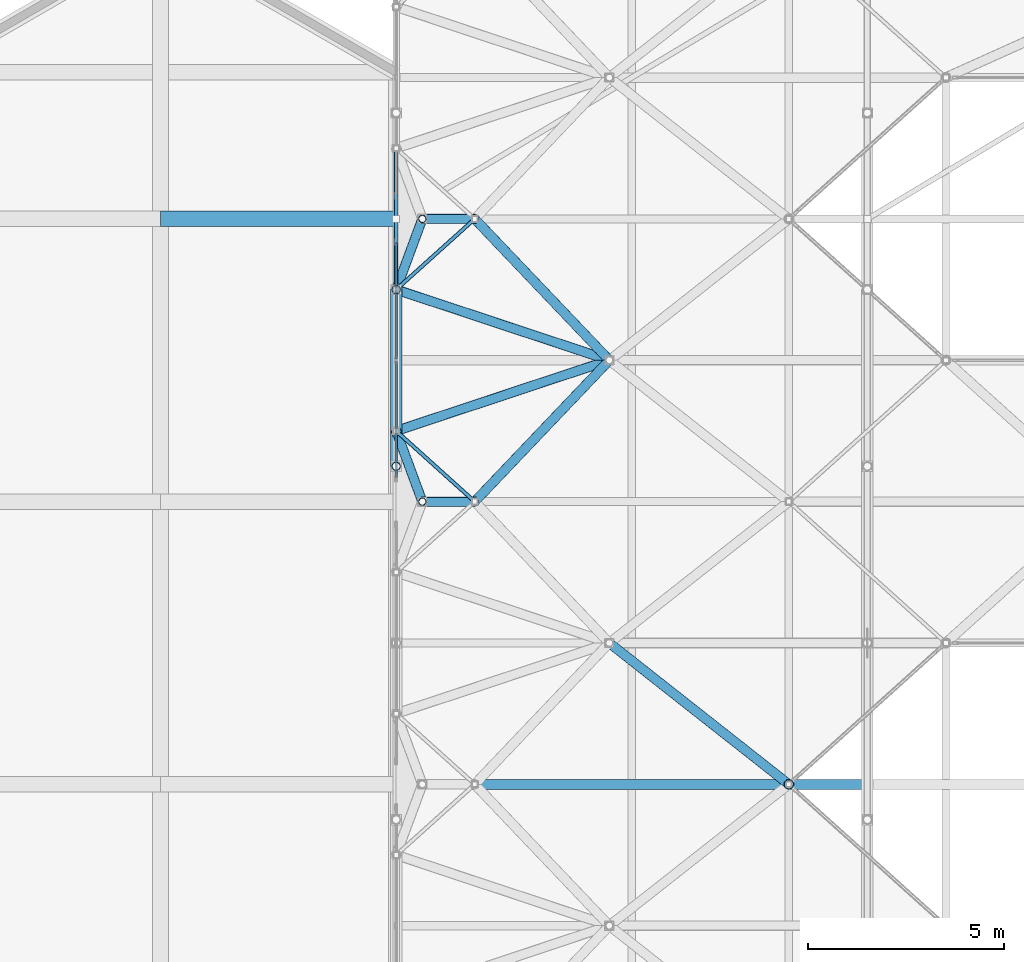
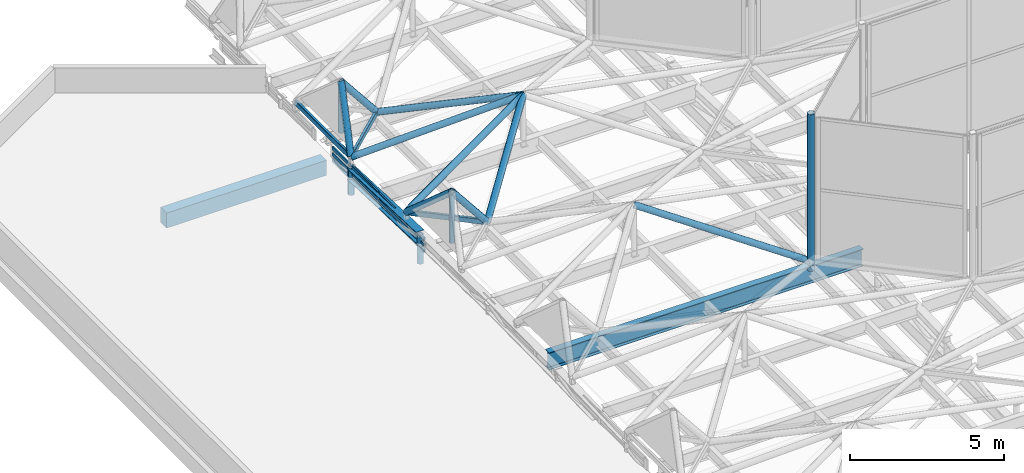
# One storey, part 55 of 239: 20 members, 6 beams, 1 element without a shape of its own.
"""IFC4 building model written with IfcOpenShell, lengths in metres."""

from ifc_helpers import new_model, si_unit, direction, frame, origin, origin_2d, place, context, subcontext, project, spatial, rectangle, hollow_rectangle, hollow_circle, i_section, extrude, material, layer, layer_set, material_profile, profile_set, type_object, element, aggregate, save


model = new_model("IFC4")

# Units and contexts
model_context = context("Model", 3, precision=1e-05, world=origin(), true_north=direction((0.0, 1.0)))
body_context = subcontext(model_context, "Body", "Model", "MODEL_VIEW")
ifc_project = project(units=[si_unit("LENGTHUNIT", "METRE"), si_unit("AREAUNIT", "SQUARE_METRE"), si_unit("VOLUMEUNIT", "CUBIC_METRE"), si_unit("PLANEANGLEUNIT", "RADIAN"), si_unit("MASSUNIT", "GRAM", prefix="KILO")], contexts=[model_context])

# Site, building, storey
site_placement = place(None, origin())
site = spatial("IfcSite", under=ifc_project, at=site_placement, CompositionType="ELEMENT")
building_placement = place(site_placement, origin())
building = spatial("IfcBuilding", under=site, at=building_placement, Name="Dunvalen Ferry Terminal", CompositionType="ELEMENT")
storey_placement = place(building_placement, frame((0.0, 0.0, 9.840087890625)))
storey = spatial("IfcBuildingStorey", under=building, at=storey_placement, Name="L02", CompositionType="ELEMENT", Elevation=9.840087890625)

# Curtain wall, members
ifc_material_1 = material(Name="Anodised marine aluminium and solar-control glazing", Category="aluminium")
ifc_layer = layer(ifc_material_1, 0.219970703125, Name="Anodised marine aluminium and solar-control glazing")
ifc_layer_set = layer_set([ifc_layer], Name="Anodised marine aluminium and solar-control glazing")
curtain_wall_type = type_object("IfcCurtainWallType", Name="ENV-CW-SYS-04", PredefinedType="NOTDEFINED", material=ifc_layer_set)
curtain_wall_placement = place(storey_placement, origin())
curtain_wall = element("IfcCurtainWall", 1, at=curtain_wall_placement, inside=storey, type_object=curtain_wall_type, Name="L02 Curtain Wall CW-V1W-CLR-04", PredefinedType="NOTDEFINED")
ifc_material_2 = material(Name="Anodised marine aluminium EN AW-6063 T6", Category="aluminium")
ifc_material_profile_1 = material_profile(ifc_material_2, hollow_rectangle(XDim=0.06005859375, YDim=0.135009765625, WallThickness=0.003173828125, InnerFilletRadius=0.003173828125, OuterFilletRadius=0.00634765625, at=origin_2d()), Name="Anodised marine aluminium EN AW-6063 T6")
ifc_profile_set_1 = profile_set([ifc_material_profile_1], Name="Anodised marine aluminium EN AW-6063 T6")
member_type_1 = type_object("IfcMemberType", Name="ENV-CW-TRN-2", PredefinedType="USERDEFINED", material=ifc_profile_set_1)
member_1_placement = place(storey_placement, frame((12.0, 72.6201171875, 0.27001953125), z_axis=(0.0, 1.0, 0.0), x_axis=(-1.0, 0.0, 0.0)))
member_1 = element("IfcMember", 2, at=member_1_placement, type_object=member_type_1, Name="CW-04 transom 1.1", ObjectType="TRANSOM", PredefinedType="USERDEFINED", context=body_context, shape_type="SweptSolid", body=[
    extrude(hollow_rectangle(XDim=0.06005859375, YDim=0.135009765625, WallThickness=0.003173828125, InnerFilletRadius=0.003173828125, OuterFilletRadius=0.00634765625, at=origin_2d()), origin(), (0.0, 0.0, 1.0), 2.949951171875),
])
member_2_placement = place(storey_placement, frame((12.0, 72.6201171875, 0.510009765625), z_axis=(0.0, 1.0, 0.0), x_axis=(-1.0, 0.0, 0.0)))
member_2 = element("IfcMember", 3, at=member_2_placement, type_object=member_type_1, Name="CW-04 transom 1.2", ObjectType="TRANSOM", PredefinedType="USERDEFINED", context=body_context, shape_type="SweptSolid", body=[
    extrude(hollow_rectangle(XDim=0.06005859375, YDim=0.135009765625, WallThickness=0.003173828125, InnerFilletRadius=0.003173828125, OuterFilletRadius=0.00634765625, at=origin_2d()), origin(), (0.0, 0.0, 1.0), 2.949951171875),
])
member_3_placement = place(storey_placement, frame((12.0, 72.6201171875, 0.75), z_axis=(0.0, 1.0, 0.0), x_axis=(-1.0, 0.0, 0.0)))
member_3 = element("IfcMember", 4, at=member_3_placement, type_object=member_type_1, Name="CW-04 transom 1.3", ObjectType="TRANSOM", PredefinedType="USERDEFINED", context=body_context, shape_type="SweptSolid", body=[
    extrude(hollow_rectangle(XDim=0.06005859375, YDim=0.135009765625, WallThickness=0.003173828125, InnerFilletRadius=0.003173828125, OuterFilletRadius=0.00634765625, at=origin_2d()), origin(), (0.0, 0.0, 1.0), 2.949951171875),
])
member_4_placement = place(storey_placement, frame((12.0, 75.6298828125, 0.27001953125), z_axis=(0.0, 1.0, 0.0), x_axis=(-1.0, 0.0, 0.0)))
member_4 = element("IfcMember", 5, at=member_4_placement, type_object=member_type_1, Name="CW-04 transom 2.1", ObjectType="TRANSOM", PredefinedType="USERDEFINED", context=body_context, shape_type="SweptSolid", body=[
    extrude(hollow_rectangle(XDim=0.06005859375, YDim=0.135009765625, WallThickness=0.003173828125, InnerFilletRadius=0.003173828125, OuterFilletRadius=0.00634765625, at=origin_2d()), origin(), (0.0, 0.0, 1.0), 2.9501953125),
])
member_5_placement = place(storey_placement, frame((12.0, 75.6298828125, 0.510009765625), z_axis=(0.0, 1.0, 0.0), x_axis=(-1.0, 0.0, 0.0)))
member_5 = element("IfcMember", 6, at=member_5_placement, type_object=member_type_1, Name="CW-04 transom 2.2", ObjectType="TRANSOM", PredefinedType="USERDEFINED", context=body_context, shape_type="SweptSolid", body=[
    extrude(hollow_rectangle(XDim=0.06005859375, YDim=0.135009765625, WallThickness=0.003173828125, InnerFilletRadius=0.003173828125, OuterFilletRadius=0.00634765625, at=origin_2d()), origin(), (0.0, 0.0, 1.0), 2.9501953125),
])
member_6_placement = place(storey_placement, frame((12.0, 75.6298828125, 0.75), z_axis=(0.0, 1.0, 0.0), x_axis=(-1.0, 0.0, 0.0)))
member_6 = element("IfcMember", 7, at=member_6_placement, type_object=member_type_1, Name="CW-04 transom 2.3", ObjectType="TRANSOM", PredefinedType="USERDEFINED", context=body_context, shape_type="SweptSolid", body=[
    extrude(hollow_rectangle(XDim=0.06005859375, YDim=0.135009765625, WallThickness=0.003173828125, InnerFilletRadius=0.003173828125, OuterFilletRadius=0.00634765625, at=origin_2d()), origin(), (0.0, 0.0, 1.0), 2.9501953125),
])
aggregate(curtain_wall, [member_1, member_2, member_3, member_4, member_5, member_6])

# Beams
ifc_material_3 = material(Name="Steel S355", Category="steel")
ifc_material_profile_2 = material_profile(ifc_material_3, i_section(OverallWidth=0.300048828125, OverallDepth=0.449951171875, WebThickness=0.013916015625, FlangeThickness=0.02587890625, FilletRadius=0.027099609375, at=origin_2d()), Name="Steel S355")
ifc_profile_set_2 = profile_set([ifc_material_profile_2], Name="Steel S355")
beam_type_1 = type_object("IfcBeamType", Name="STR-BM-HEB450", PredefinedType="BEAM", material=ifc_profile_set_2)
beam_1_placement = place(storey_placement, frame((12.0, 72.89990234375, 0.65869140625), z_axis=(0.0, 0.999166564808, -0.040818816368), x_axis=(-1.0, 0.0, 0.0)))
element("IfcBeam", 8, at=beam_1_placement, inside=storey, type_object=beam_type_1, Name="Departure Hall Tied-Arch Rib 01.6", PredefinedType="BEAM", context=body_context, shape_type="SweptSolid", body=[
    extrude(i_section(OverallWidth=0.300048828125, OverallDepth=0.449951171875, WebThickness=0.013916015625, FlangeThickness=0.02587890625, FilletRadius=0.027099609375, at=origin_2d()), origin(), (0.0, 0.0, 1.0), 4.503662109375),
])
ifc_material_4 = material(Name="Concrete C35/45", Category="concrete")
ifc_material_profile_3 = material_profile(ifc_material_4, rectangle(XDim=0.39990234375, YDim=0.60009765625, at=origin_2d()), Name="Concrete C35/45")
ifc_profile_set_3 = profile_set([ifc_material_profile_3], Name="Concrete C35/45")
beam_type_2 = type_object("IfcBeamType", Name="STR-BM-RCB600", PredefinedType="BEAM", material=ifc_profile_set_3)
beam_2_placement = place(storey_placement, frame((6.0, 79.199951171875, -0.300048828125), z_axis=(1.0, 0.0, 0.0), x_axis=(0.0, 1.0, 0.0)))
element("IfcBeam", 9, at=beam_2_placement, inside=storey, type_object=beam_type_2, Name="L02 V1AW Primary Beam X-009", PredefinedType="BEAM", context=body_context, shape_type="SweptSolid", body=[
    extrude(rectangle(XDim=0.39990234375, YDim=0.60009765625, at=origin_2d()), origin(), (0.0, 0.0, 1.0), 6.0),
])
ifc_material_profile_4 = material_profile(ifc_material_3, hollow_rectangle(XDim=0.10009765625, YDim=0.199951171875, WallThickness=0.008056640625, InnerFilletRadius=0.008056640625, OuterFilletRadius=0.01611328125, at=origin_2d()), Name="Steel S355")
ifc_profile_set_4 = profile_set([ifc_material_profile_4], Name="Steel S355")
beam_type_3 = type_object("IfcBeamType", Name="STR-BM-RHS200", PredefinedType="BEAM", material=ifc_profile_set_4)
for number, where, z_axis, x_axis, name in (
    (10, (14.0, 72.0, 1.099853515625), (-0.743285123004, 0.668974757313, 0.0), (-0.668974757313, -0.743285123004, 0.0), "HEX-04 Hexagonal Rim Beam 2"),
    (11, (12.0, 77.39990234375, 1.099853515625), (0.743285123004, 0.668974757313, 0.0), (-0.668974757313, 0.743285123004, 0.0), "HEX-05 Hexagonal Rim Beam 1"),
):
    element("IfcBeam", number, at=place(storey_placement, frame(where, z_axis=z_axis, x_axis=x_axis)), inside=storey, type_object=beam_type_3, Name=name, PredefinedType="BEAM", context=body_context, shape_type="SweptSolid", body=[
        extrude(hollow_rectangle(XDim=0.10009765625, YDim=0.199951171875, WallThickness=0.008056640625, InnerFilletRadius=0.008056640625, OuterFilletRadius=0.01611328125, at=origin_2d()), origin(), (0.0, 0.0, 1.0), 2.690673828125),
    ])
beam_3_placement = place(storey_placement, frame((12.0, 81.0, 1.099853515625), z_axis=(0.0, -1.0, 0.0), x_axis=(1.0, 0.0, 0.0)))
element("IfcBeam", 12, at=beam_3_placement, inside=storey, type_object=beam_type_3, Name="HEX-05 Hexagonal Rim Beam 3", PredefinedType="BEAM", context=body_context, shape_type="SweptSolid", body=[
    extrude(hollow_rectangle(XDim=0.10009765625, YDim=0.199951171875, WallThickness=0.008056640625, InnerFilletRadius=0.008056640625, OuterFilletRadius=0.01611328125, at=origin_2d()), origin(), (0.0, 0.0, 1.0), 3.60009765625),
])
ifc_material_profile_5 = material_profile(ifc_material_3, i_section(OverallWidth=0.253662109375, OverallDepth=0.68359375, WebThickness=0.012451171875, FlangeThickness=0.01904296875, FilletRadius=0.01513671875, at=origin_2d()), Name="Steel S355")
ifc_profile_set_5 = profile_set([ifc_material_profile_5], Name="Steel S355")
beam_type_4 = type_object("IfcBeamType", Name="STR-BM-UKB686", PredefinedType="BEAM", material=ifc_profile_set_5)
beam_4_placement = place(storey_placement, frame((12.10009765625, 64.800048828125, 0.658203125), z_axis=(1.0, 0.0, 0.0), x_axis=(0.0, 1.0, 0.0)))
element("IfcBeam", 13, at=beam_4_placement, inside=storey, type_object=beam_type_4, Name="Departure Hall Spine Girder B1.05", PredefinedType="BEAM", context=body_context, shape_type="SweptSolid", body=[
    extrude(i_section(OverallWidth=0.253662109375, OverallDepth=0.68359375, WebThickness=0.012451171875, FlangeThickness=0.01904296875, FilletRadius=0.01513671875, at=origin_2d()), origin(), (0.0, 0.0, 1.0), 11.7998046875),
])

# Members
ifc_material_profile_6 = material_profile(ifc_material_3, hollow_circle(Radius=0.096923828125, WallThickness=0.008056640625, at=origin_2d()), Name="Steel S355")
ifc_profile_set_6 = profile_set([ifc_material_profile_6], Name="Steel S355")
member_type_2 = type_object("IfcMemberType", Name="STR-MB-CHS193", PredefinedType="STRUT", material=ifc_profile_set_6)
for number, where, z_axis, x_axis, name in (
    (14, (12.666748046875, 72.0, 0.77001953125), (0.0, 0.0, 1.0), (1.0, 0.0, 0.0), "HEX-04 Pyramid Apex Strut"),
    (15, (12.666748046875, 79.199951171875, 0.77001953125), (0.0, 0.0, 1.0), (1.0, 0.0, 0.0), "HEX-05 Pyramid Apex Strut"),
):
    element("IfcMember", number, at=place(storey_placement, frame(where, z_axis=z_axis, x_axis=x_axis)), inside=storey, type_object=member_type_2, Name=name, PredefinedType="STRUT", context=body_context, shape_type="SweptSolid", body=[
        extrude(hollow_circle(Radius=0.096923828125, WallThickness=0.008056640625, at=origin_2d()), origin(), (0.0, 0.0, 1.0), 1.994873046875),
    ])
ifc_material_profile_7 = material_profile(ifc_material_3, hollow_circle(Radius=0.109619140625, WallThickness=0.010009765625, at=origin_2d()), Name="Steel S355")
ifc_profile_set_7 = profile_set([ifc_material_profile_7], Name="Steel S355")
member_type_3 = type_object("IfcMemberType", Name="STR-MB-CHS219", PredefinedType="STRUT", material=ifc_profile_set_7)
for number, where, z_axis, x_axis, name in (
    (16, (12.0, 72.89990234375, -0.360107421875), (0.0, 0.0, 1.0), (1.0, 0.0, 0.0), "Departure Hall Arch Spandrel Strut 01.5"),
    (17, (12.0, 77.39990234375, -0.360107421875), (0.0, 0.0, 1.0), (1.0, 0.0, 0.0), "Departure Hall Arch Spandrel Strut 01.6"),
):
    element("IfcMember", number, at=place(storey_placement, frame(where, z_axis=z_axis, x_axis=x_axis)), inside=storey, type_object=member_type_3, Name=name, PredefinedType="STRUT", context=body_context, shape_type="SweptSolid", body=[
        extrude(hollow_circle(Radius=0.109619140625, WallThickness=0.010009765625, at=origin_2d()), origin(), (0.0, 0.0, 1.0), 1.130126953125),
    ])
ifc_material_profile_8 = material_profile(ifc_material_3, hollow_circle(Radius=0.122314453125, WallThickness=0.010009765625, at=origin_2d()), Name="Steel S355")
ifc_profile_set_8 = profile_set([ifc_material_profile_8], Name="Steel S355")
member_type_4 = type_object("IfcMemberType", Name="STR-MB-CHS244", PredefinedType="STRUT", material=ifc_profile_set_8)
member_7_placement = place(storey_placement, frame((14.0, 72.0, 1.099853515625), z_axis=(-0.625043936243, 0.0, 0.780589570624), x_axis=(0.0, -1.0, 0.0)))
element("IfcMember", 18, at=member_7_placement, inside=storey, type_object=member_type_4, Name="HEX-04 Pyramid Hip Rafter 2", PredefinedType="STRUT", context=body_context, shape_type="SweptSolid", body=[
    extrude(hollow_circle(Radius=0.122314453125, WallThickness=0.010009765625, at=origin_2d()), origin(), (0.0, 0.0, 1.0), 2.133056640625),
])
for number, where, z_axis, x_axis, name in (
    (19, (12.0, 73.800048828125, 1.099853515625), (0.262387740737, -0.708379645717, 0.65524877035), (0.937738020856, 0.34734335209, 0.0), "HEX-04 Pyramid Hip Rafter 3"),
    (20, (12.0, 77.39990234375, 1.099853515625), (0.262387740737, 0.708379645717, 0.65524877035), (-0.937738020856, 0.34734335209, 0.0), "HEX-05 Pyramid Hip Rafter 1"),
):
    element("IfcMember", number, at=place(storey_placement, frame(where, z_axis=z_axis, x_axis=x_axis)), inside=storey, type_object=member_type_4, Name=name, PredefinedType="STRUT", context=body_context, shape_type="SweptSolid", body=[
        extrude(hollow_circle(Radius=0.122314453125, WallThickness=0.010009765625, at=origin_2d()), origin(), (0.0, 0.0, 1.0), 2.541015625),
    ])
member_8_placement = place(storey_placement, frame((14.0, 79.199951171875, 1.099853515625), z_axis=(-0.625043936243, 0.0, 0.780589570624), x_axis=(0.0, -1.0, 0.0)))
element("IfcMember", 21, at=member_8_placement, inside=storey, type_object=member_type_4, Name="HEX-05 Pyramid Hip Rafter 2", PredefinedType="STRUT", context=body_context, shape_type="SweptSolid", body=[
    extrude(hollow_circle(Radius=0.122314453125, WallThickness=0.010009765625, at=origin_2d()), origin(), (0.0, 0.0, 1.0), 2.133056640625),
])
member_9_placement = place(storey_placement, frame((22.0, 64.800048828125, 1.099853515625), z_axis=(-0.755322072227, 0.594810080911, 0.275117311076), x_axis=(-0.618684713088, -0.78563937388, 0.0)))
element("IfcMember", 22, at=member_9_placement, inside=storey, type_object=member_type_4, Name="HEX-09 Pyramid Hip Rafter 4", PredefinedType="STRUT", context=body_context, shape_type="SweptSolid", body=[
    extrude(hollow_circle(Radius=0.122314453125, WallThickness=0.010009765625, at=origin_2d()), origin(), (0.0, 0.0, 1.0), 6.052001953125),
])
for number, where, z_axis, x_axis, name in (
    (23, (12.0, 77.39990234375, 1.099853515625), (0.911358563077, -0.302146758725, 0.279522638972), (0.314690609143, 0.949194300719, 0.0), "HEX-10 Pyramid Hip Rafter 1"),
    (24, (12.0, 73.800048828125, 1.099853515625), (0.911347276527, 0.302184002061, 0.279519177276), (-0.314729068317, 0.949181549313, 0.0), "HEX-10 Pyramid Hip Rafter 2"),
):
    element("IfcMember", number, at=place(storey_placement, frame(where, z_axis=z_axis, x_axis=x_axis)), inside=storey, type_object=member_type_4, Name=name, PredefinedType="STRUT", context=body_context, shape_type="SweptSolid", body=[
        extrude(hollow_circle(Radius=0.122314453125, WallThickness=0.010009765625, at=origin_2d()), origin(), (0.0, 0.0, 1.0), 5.956787109375),
    ])
for number, where, z_axis, x_axis, name in (
    (25, (14.0, 72.0, 1.099853515625), (0.653958936196, 0.686647570005, 0.317573337002), (-0.724133259713, 0.689660077269, 0.0), "HEX-10 Pyramid Hip Rafter 3"),
    (26, (14.0, 79.199951171875, 1.099853515625), (0.653979846008, -0.686622958516, 0.317583491155), (0.724109901608, 0.689684602114, 0.0), "HEX-10 Pyramid Hip Rafter 7"),
):
    element("IfcMember", number, at=place(storey_placement, frame(where, z_axis=z_axis, x_axis=x_axis)), inside=storey, type_object=member_type_4, Name=name, PredefinedType="STRUT", context=body_context, shape_type="SweptSolid", body=[
        extrude(hollow_circle(Radius=0.122314453125, WallThickness=0.010009765625, at=origin_2d()), origin(), (0.0, 0.0, 1.0), 5.242919921875),
    ])
member_10_placement = place(storey_placement, frame((22.0, 64.800048828125, 0.77001953125), z_axis=(0.0, 0.0, 1.0), x_axis=(1.0, 0.0, 0.0)))
element("IfcMember", 27, at=member_10_placement, inside=storey, type_object=member_type_4, Name="HEX-14 Skylight Lantern Corner Strut 1", PredefinedType="STRUT", context=body_context, shape_type="SweptSolid", body=[
    extrude(hollow_circle(Radius=0.122314453125, WallThickness=0.010009765625, at=origin_2d()), origin(), (0.0, 0.0, 1.0), 6.22998046875),
])

save(model, "model.ifc")
